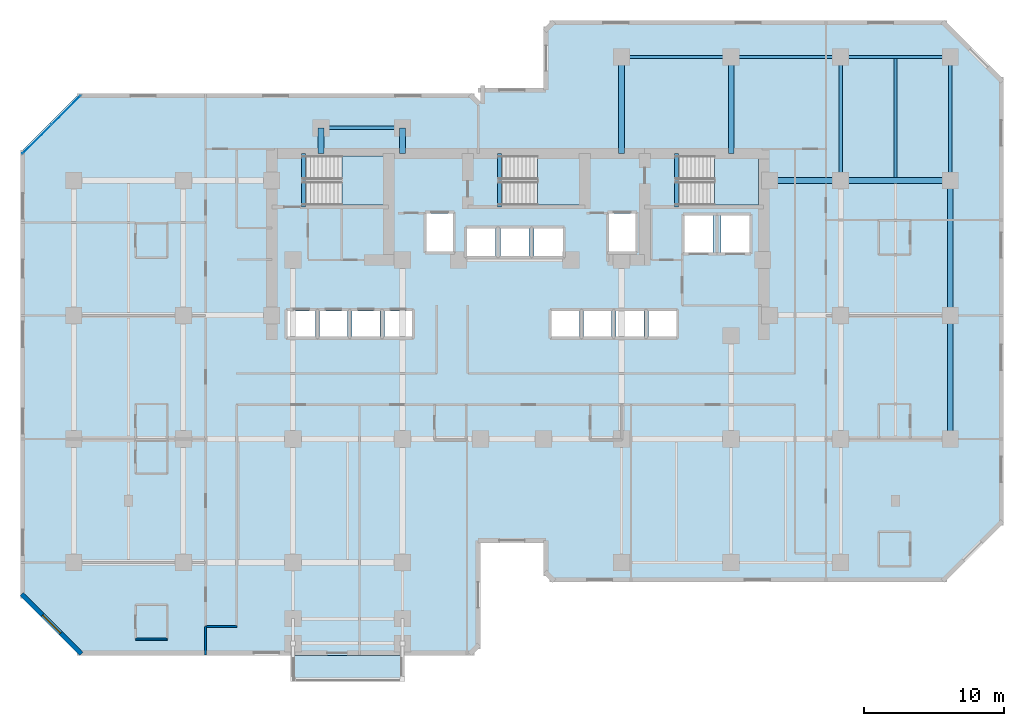
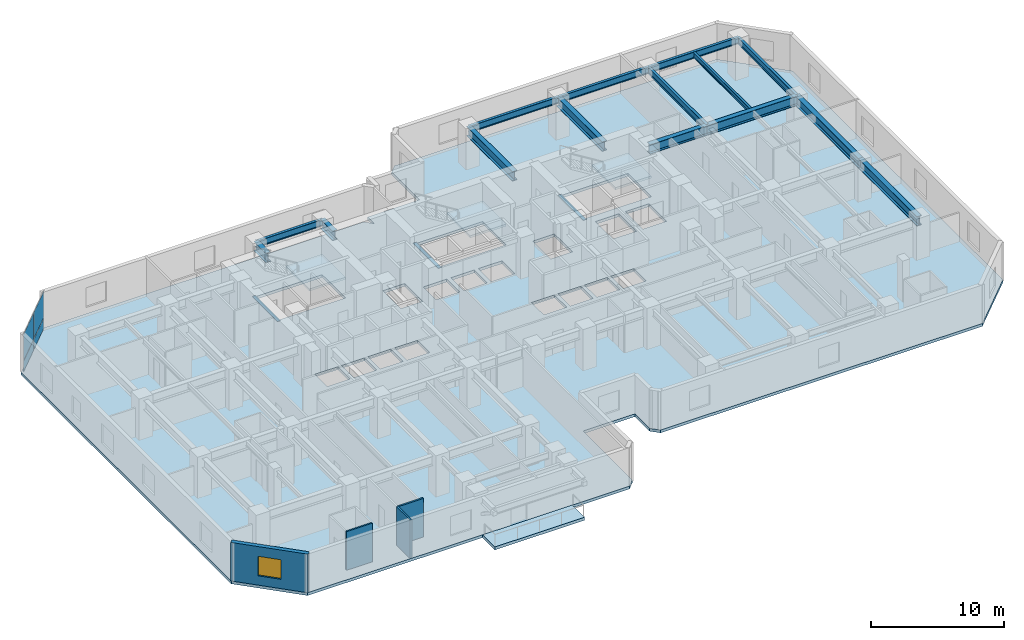
# One storey, part 5 of 12: 18 beams, 5 slabs, 4 plates, 4 walls, 1 window, 1 opening, 4 elements without a shape of their own.
"""IFC4 building model written with IfcOpenShell, lengths in metres."""

from ifc_helpers import new_model, si_unit, direction, frame, frame_2d, origin, origin_2d, place, context, subcontext, project, spatial, polyline, rectangle, i_section, outline, extrude, material, layer, layer_set, material_profile, profile_set, type_object, element, fill, aggregate, save


model = new_model("IFC4")

# Units and contexts
model_context = context("Model", 3, precision=1e-05, world=origin(), true_north=direction((0.0, 1.0)))
body_context = subcontext(model_context, "Body", "Model", "MODEL_VIEW")
ifc_project = project(units=[si_unit("LENGTHUNIT", "METRE"), si_unit("AREAUNIT", "SQUARE_METRE"), si_unit("VOLUMEUNIT", "CUBIC_METRE"), si_unit("PLANEANGLEUNIT", "RADIAN"), si_unit("MASSUNIT", "GRAM", prefix="KILO")], contexts=[model_context])

# Site, building, storey
site_placement = place(None, origin())
site = spatial("IfcSite", under=ifc_project, at=site_placement, CompositionType="ELEMENT")
building_placement = place(site_placement, origin())
building = spatial("IfcBuilding", under=site, at=building_placement, Name="Kestravale Grand Hotel", CompositionType="ELEMENT")
storey_placement = place(building_placement, frame((0.0, 0.0, 99.39990234375)))
storey = spatial("IfcBuildingStorey", under=building, at=storey_placement, Name="L24", CompositionType="ELEMENT", Elevation=99.39990234375)

# Beams
ifc_material_1 = material(Name="Steel ASTM A992 Grade 50", Category="steel")
ifc_material_profile_1 = material_profile(ifc_material_1, i_section(OverallWidth=0.19091796875, OverallDepth=0.45703125, WebThickness=0.009033203125, FlangeThickness=0.014404296875, FilletRadius=0.015380859375, at=origin_2d()))
ifc_profile_set_1 = profile_set([ifc_material_profile_1], Name="Steel ASTM A992 Grade 50")
beam_type_1 = type_object("IfcBeamType", Name="B-FLR-JST18", PredefinedType="JOIST", material=ifc_profile_set_1)
beam_1_placement = place(storey_placement, frame((66.300048828125, 38.6005859375, 3.3115234375), z_axis=(0.0, 1.0, 0.0), x_axis=(-1.0, 0.0, 0.0)))
element("IfcBeam", 1, at=beam_1_placement, inside=storey, type_object=beam_type_1, Name="L24 floor joist 10-11/F-G #1", PredefinedType="JOIST", context=body_context, shape_type="SweptSolid", body=[
    extrude(i_section(OverallWidth=0.19091796875, OverallDepth=0.45703125, WebThickness=0.009033203125, FlangeThickness=0.014404296875, FilletRadius=0.015380859375, at=origin_2d()), origin(), (0.0, 0.0, 1.0), 8.48486328125),
])
ifc_material_2 = material(Name="Concrete f'c 45 MPa", Category="concrete")
ifc_material_profile_2 = material_profile(ifc_material_2, rectangle(XDim=0.300048828125, YDim=0.39990234375, at=origin_2d()))
ifc_profile_set_2 = profile_set([ifc_material_profile_2], Name="Concrete f'c 45 MPa")
beam_type_2 = type_object("IfcBeamType", Name="B-FLR-LNT400", PredefinedType="LINTEL", material=ifc_profile_set_2)
for number, where, z_axis, x_axis, name in (
    (2, (24.159912109375, 36.52001953125, -0.199951171875), (0.0, 1.0, 0.0), (-1.0, 0.0, 0.0), "L24 ST1 flight bottom header beam"),
    (3, (38.110107421875, 36.52001953125, -0.199951171875), (0.0, 1.0, 0.0), (-1.0, 0.0, 0.0), "L24 ST2 flight bottom header beam"),
    (4, (50.7099609375, 36.52001953125, -0.199951171875), (0.0, 1.0, 0.0), (-1.0, 0.0, 0.0), "L24 ST3 flight bottom header beam"),
):
    element("IfcBeam", number, at=place(storey_placement, frame(where, z_axis=z_axis, x_axis=x_axis)), inside=storey, type_object=beam_type_2, Name=name, PredefinedType="LINTEL", context=body_context, shape_type="SweptSolid", body=[
        extrude(rectangle(XDim=0.300048828125, YDim=0.39990234375, at=origin_2d()), origin(), (0.0, 0.0, 1.0), 3.800048828125),
    ])
ifc_material_3 = material(Name="Steel ASTM A992 Grade 50", Category="steel")
ifc_material_profile_3 = material_profile(ifc_material_3, i_section(OverallWidth=0.22900390625, OverallDepth=0.612060546875, WebThickness=0.011962890625, FlangeThickness=0.01953125, FilletRadius=0.019287109375, at=origin_2d()))
ifc_profile_set_3 = profile_set([ifc_material_profile_3], Name="Steel ASTM A992 Grade 50")
beam_type_3 = type_object("IfcBeamType", Name="B-FLR-W24B", PredefinedType="SPANDREL", material=ifc_profile_set_3)
beam_2_placement = place(storey_placement, frame((46.800048828125, 47.199951171875, 3.234130859375), z_axis=(1.0, 0.0, 0.0), x_axis=(0.0, 1.0, 0.0)))
element("IfcBeam", 5, at=beam_2_placement, inside=storey, type_object=beam_type_3, Name="L24 spandrel G:8-9", PredefinedType="SPANDREL", context=body_context, shape_type="SweptSolid", body=[
    extrude(i_section(OverallWidth=0.22900390625, OverallDepth=0.612060546875, WebThickness=0.011962890625, FlangeThickness=0.01953125, FilletRadius=0.019287109375, at=origin_2d()), origin(), (0.0, 0.0, 1.0), 7.800048828125),
])
beam_3_placement = place(storey_placement, frame((54.60009765625, 47.199951171875, 3.234130859375), z_axis=(1.0, 0.0, 0.0), x_axis=(0.0, 1.0, 0.0)))
element("IfcBeam", 6, at=beam_3_placement, inside=storey, type_object=beam_type_3, Name="L24 spandrel G:9-10", PredefinedType="SPANDREL", context=body_context, shape_type="SweptSolid", body=[
    extrude(i_section(OverallWidth=0.22900390625, OverallDepth=0.612060546875, WebThickness=0.011962890625, FlangeThickness=0.01953125, FilletRadius=0.019287109375, at=origin_2d()), origin(), (0.0, 0.0, 1.0), 7.7998046875),
])
beam_4_placement = place(storey_placement, frame((62.39990234375, 47.199951171875, 3.234130859375), z_axis=(1.0, 0.0, 0.0), x_axis=(0.0, 1.0, 0.0)))
element("IfcBeam", 7, at=beam_4_placement, inside=storey, type_object=beam_type_3, Name="L24 spandrel G:10-11", PredefinedType="SPANDREL", context=body_context, shape_type="SweptSolid", body=[
    extrude(i_section(OverallWidth=0.22900390625, OverallDepth=0.612060546875, WebThickness=0.011962890625, FlangeThickness=0.01953125, FilletRadius=0.019287109375, at=origin_2d()), origin(), (0.0, 0.0, 1.0), 7.800048828125),
])
beam_5_placement = place(storey_placement, frame((25.39990234375, 42.14990234375, 3.234130859375), z_axis=(1.0, 0.0, 0.0), x_axis=(0.0, 1.0, 0.0)))
element("IfcBeam", 8, at=beam_5_placement, inside=storey, type_object=beam_type_3, Name="L24 perimeter tie spandrel FN:4-5", PredefinedType="SPANDREL", context=body_context, shape_type="SweptSolid", body=[
    extrude(i_section(OverallWidth=0.22900390625, OverallDepth=0.612060546875, WebThickness=0.011962890625, FlangeThickness=0.01953125, FilletRadius=0.019287109375, at=origin_2d()), origin(), (0.0, 0.0, 1.0), 5.800048828125),
])
for number, where, z_axis, x_axis, name in (
    (9, (62.39990234375, 38.39990234375, 3.234130859375), (0.0, 1.0, 0.0), (-1.0, 0.0, 0.0), "L24 spandrel 10:F-G"),
    (10, (70.199951171875, 38.39990234375, 3.234130859375), (0.0, 1.0, 0.0), (-1.0, 0.0, 0.0), "L24 spandrel 11:F-G"),
):
    element("IfcBeam", number, at=place(storey_placement, frame(where, z_axis=z_axis, x_axis=x_axis)), inside=storey, type_object=beam_type_3, Name=name, PredefinedType="SPANDREL", context=body_context, shape_type="SweptSolid", body=[
        extrude(i_section(OverallWidth=0.22900390625, OverallDepth=0.612060546875, WebThickness=0.011962890625, FlangeThickness=0.01953125, FilletRadius=0.019287109375, at=origin_2d()), origin(), (0.0, 0.0, 1.0), 8.800048828125),
    ])
ifc_material_4 = material(Name="Steel ASTM A992 Grade 50", Category="steel")
ifc_material_profile_4 = material_profile(ifc_material_4, i_section(OverallWidth=0.40087890625, OverallDepth=0.861083984375, WebThickness=0.019775390625, FlangeThickness=0.032470703125, FilletRadius=0.0234375, at=origin_2d()))
ifc_profile_set_4 = profile_set([ifc_material_profile_4], Name="Steel ASTM A992 Grade 50")
beam_type_4 = type_object("IfcBeamType", Name="B-GRD-W33", PredefinedType="BEAM", material=ifc_profile_set_4)
beam_6_placement = place(storey_placement, frame((57.35009765625, 38.39990234375, 3.109619140625), z_axis=(1.0, 0.0, 0.0), x_axis=(0.0, 1.0, 0.0)))
element("IfcBeam", 11, at=beam_6_placement, inside=storey, type_object=beam_type_4, Name="L24 girder F:CE-10", PredefinedType="BEAM", context=body_context, shape_type="SweptSolid", body=[
    extrude(i_section(OverallWidth=0.40087890625, OverallDepth=0.861083984375, WebThickness=0.019775390625, FlangeThickness=0.032470703125, FilletRadius=0.0234375, at=origin_2d()), origin(), (0.0, 0.0, 1.0), 5.0498046875),
])
beam_7_placement = place(storey_placement, frame((62.39990234375, 38.39990234375, 3.109619140625), z_axis=(1.0, 0.0, 0.0), x_axis=(0.0, 1.0, 0.0)))
element("IfcBeam", 12, at=beam_7_placement, inside=storey, type_object=beam_type_4, Name="L24 girder F:10-11", PredefinedType="BEAM", context=body_context, shape_type="SweptSolid", body=[
    extrude(i_section(OverallWidth=0.40087890625, OverallDepth=0.861083984375, WebThickness=0.019775390625, FlangeThickness=0.032470703125, FilletRadius=0.0234375, at=origin_2d()), origin(), (0.0, 0.0, 1.0), 7.800048828125),
])
beam_8_placement = place(storey_placement, frame((70.199951171875, 20.0, 3.109619140625), z_axis=(0.0, 1.0, 0.0), x_axis=(-1.0, 0.0, 0.0)))
element("IfcBeam", 13, at=beam_8_placement, inside=storey, type_object=beam_type_4, Name="L24 girder 11:D-E", PredefinedType="BEAM", context=body_context, shape_type="SweptSolid", body=[
    extrude(i_section(OverallWidth=0.40087890625, OverallDepth=0.861083984375, WebThickness=0.019775390625, FlangeThickness=0.032470703125, FilletRadius=0.0234375, at=origin_2d()), origin(), (0.0, 0.0, 1.0), 8.800048828125),
])
beam_9_placement = place(storey_placement, frame((70.199951171875, 28.800048828125, 3.109619140625), z_axis=(0.0, 1.0, 0.0), x_axis=(-1.0, 0.0, 0.0)))
element("IfcBeam", 14, at=beam_9_placement, inside=storey, type_object=beam_type_4, Name="L24 girder 11:E-F", PredefinedType="BEAM", context=body_context, shape_type="SweptSolid", body=[
    extrude(i_section(OverallWidth=0.40087890625, OverallDepth=0.861083984375, WebThickness=0.019775390625, FlangeThickness=0.032470703125, FilletRadius=0.0234375, at=origin_2d()), origin(), (0.0, 0.0, 1.0), 9.599853515625),
])
for number, where, z_axis, x_axis, name in (
    (15, (25.39990234375, 40.320068359375, 3.109619140625), (0.0, 1.0, 0.0), (-1.0, 0.0, 0.0), "L24 north wing tie girder 4:CN-FN"),
    (16, (31.199951171875, 40.320068359375, 3.109619140625), (0.0, 1.0, 0.0), (-1.0, 0.0, 0.0), "L24 north wing tie girder 5:CN-FN"),
):
    element("IfcBeam", number, at=place(storey_placement, frame(where, z_axis=z_axis, x_axis=x_axis)), inside=storey, type_object=beam_type_4, Name=name, PredefinedType="BEAM", context=body_context, shape_type="SweptSolid", body=[
        extrude(i_section(OverallWidth=0.40087890625, OverallDepth=0.861083984375, WebThickness=0.019775390625, FlangeThickness=0.032470703125, FilletRadius=0.0234375, at=origin_2d()), origin(), (0.0, 0.0, 1.0), 1.829833984375),
    ])
for number, where, z_axis, x_axis, name in (
    (17, (46.800048828125, 40.320068359375, 3.109619140625), (0.0, 1.0, 0.0), (-1.0, 0.0, 0.0), "L24 north wing tie girder 8:CN-G"),
    (18, (54.60009765625, 40.320068359375, 3.109619140625), (0.0, 1.0, 0.0), (-1.0, 0.0, 0.0), "L24 north wing tie girder 9:CN-G"),
):
    element("IfcBeam", number, at=place(storey_placement, frame(where, z_axis=z_axis, x_axis=x_axis)), inside=storey, type_object=beam_type_4, Name=name, PredefinedType="BEAM", context=body_context, shape_type="SweptSolid", body=[
        extrude(i_section(OverallWidth=0.40087890625, OverallDepth=0.861083984375, WebThickness=0.019775390625, FlangeThickness=0.032470703125, FilletRadius=0.0234375, at=origin_2d()), origin(), (0.0, 0.0, 1.0), 6.8798828125),
    ])

# Curtain wall, plates
ifc_material_5 = material(Name="Thermally broken champagne-bronze aluminium and low-E glazing", Category="aluminium")
ifc_layer_1 = layer(ifc_material_5, 0.199951171875)
ifc_layer_set_1 = layer_set([ifc_layer_1], Name="CW-Z2")
curtain_wall_type = type_object("IfcCurtainWallType", Name="CW-Z2", PredefinedType="NOTDEFINED", material=ifc_layer_set_1)
curtain_wall_placement = place(storey_placement, origin())
curtain_wall = element("IfcCurtainWall", 19, at=curtain_wall_placement, inside=storey, type_object=curtain_wall_type, Name="L24 unitised curtain wall 18", PredefinedType="NOTDEFINED")
ifc_material_6 = material(Name="Insulated clear low-E double glazing IGU", Category="glass")
ifc_layer_2 = layer(ifc_material_6, 0.031982421875)
ifc_layer_set_2 = layer_set([ifc_layer_2], Name="CW-PNL-32")
plate_type = type_object("IfcPlateType", Name="CW-PNL-32", PredefinedType="CURTAIN_PANEL", material=ifc_layer_set_2)
plate_1_placement = place(storey_placement, frame((7.26416015625, 43.423583984375, 0.06494140625), z_axis=(0.0, 0.0, 1.0), x_axis=(-0.707106781187, -0.707106781187, 0.0)))
plate_1 = element("IfcPlate", 20, at=plate_1_placement, type_object=plate_type, Name="CW-Z2 panel 1.1", PredefinedType="CURTAIN_PANEL", context=body_context, shape_type="SweptSolid", body=[
    extrude(rectangle(XDim=2.87744140625, YDim=0.031982421875, at=origin_2d()), origin(), (0.0, 0.0, 1.0), 0.952392578125),
])
plate_2_placement = place(storey_placement, frame((7.26416015625, 43.423583984375, 1.08251953125), z_axis=(0.0, 0.0, 1.0), x_axis=(-0.707106781187, -0.707106781187, 0.0)))
plate_2 = element("IfcPlate", 21, at=plate_2_placement, type_object=plate_type, Name="CW-Z2 panel 1.2", PredefinedType="CURTAIN_PANEL", context=body_context, shape_type="SweptSolid", body=[
    extrude(rectangle(XDim=2.87744140625, YDim=0.031982421875, at=origin_2d()), origin(), (0.0, 0.0, 1.0), 2.392578125),
])
plate_3_placement = place(storey_placement, frame((5.17626953125, 41.3359375, 0.06494140625), z_axis=(0.0, 0.0, 1.0), x_axis=(-0.707106781187, -0.707106781187, 0.0)))
plate_3 = element("IfcPlate", 22, at=plate_3_placement, type_object=plate_type, Name="CW-Z2 panel 2.1", PredefinedType="CURTAIN_PANEL", context=body_context, shape_type="SweptSolid", body=[
    extrude(rectangle(XDim=2.87744140625, YDim=0.031982421875, at=origin_2d()), origin(), (0.0, 0.0, 1.0), 0.952392578125),
])
plate_4_placement = place(storey_placement, frame((5.17626953125, 41.3359375, 1.08251953125), z_axis=(0.0, 0.0, 1.0), x_axis=(-0.707106781187, -0.707106781187, 0.0)))
plate_4 = element("IfcPlate", 23, at=plate_4_placement, type_object=plate_type, Name="CW-Z2 panel 2.2", PredefinedType="CURTAIN_PANEL", context=body_context, shape_type="SweptSolid", body=[
    extrude(rectangle(XDim=2.87744140625, YDim=0.031982421875, at=origin_2d()), origin(), (0.0, 0.0, 1.0), 2.392578125),
])
aggregate(curtain_wall, [plate_1, plate_2, plate_3, plate_4])

# Slab
ifc_material_7 = material(Name="Concrete f'c 45 MPa", Category="concrete")
ifc_layer_3 = layer(ifc_material_7, 0.27001953125)
ifc_layer_set_3 = layer_set([ifc_layer_3], Name="ES-TERR-270")
slab_type_1 = type_object("IfcSlabType", Name="ES-TERR-270", PredefinedType="FLOOR", material=ifc_layer_set_3)
slab_1_placement = place(storey_placement, frame((0.0, 0.0, -0.27001953125)))
element("IfcSlab", 24, at=slab_1_placement, inside=storey, type_object=slab_type_1, Name="L24 spiralling planted garden terrace", PredefinedType="FLOOR", context=body_context, shape_type="SweptSolid", body=[
    extrude(outline(polyline([(23.39990234375, 2.75), (31.199951171875, 2.75), (31.199951171875, 4.60009765625), (23.39990234375, 4.60009765625), (23.39990234375, 2.75)])), origin(), (0.0, 0.0, 1.0), 0.27001953125),
])

# Stair, slab
ifc_material_8 = material(Name="Concrete f'c 45 MPa", Category="concrete")
stair_type = type_object("IfcStairType", Name="ST-CORE-380", PredefinedType="HALF_TURN_STAIR", material=ifc_material_8)
stair_1_placement = place(storey_placement, origin())
stair_1 = element("IfcStair", 25, at=stair_1_placement, inside=storey, type_object=stair_type, Name="L24 ST-1", PredefinedType="HALF_TURN_STAIR")
ifc_material_9 = material(Name="Concrete f'c 45 MPa", Category="concrete")
ifc_layer_4 = layer(ifc_material_9, 0.199951171875)
ifc_layer_set_4 = layer_set([ifc_layer_4], Name="SLB-ST-LND200")
slab_type_2 = type_object("IfcSlabType", Name="SLB-ST-LND200", PredefinedType="LANDING", material=ifc_layer_set_4)
slab_2_placement = place(storey_placement, frame((0.0, 0.0, 1.7001953125)))
slab_2 = element("IfcSlab", 26, at=slab_2_placement, type_object=slab_type_2, Name="ST-1 landing 1", PredefinedType="LANDING", context=body_context, shape_type="SweptSolid", body=[
    extrude(outline(polyline([(26.8798828125, 36.64990234375), (30.0, 36.64990234375), (30.0, 40.159912109375), (26.8798828125, 40.159912109375), (26.8798828125, 36.64990234375)])), origin(), (0.0, 0.0, 1.0), 0.199951171875),
])
aggregate(stair_1, [slab_2])

stair_2_placement = place(storey_placement, origin())
stair_2 = element("IfcStair", 27, at=stair_2_placement, inside=storey, type_object=stair_type, Name="L24 ST-2", PredefinedType="HALF_TURN_STAIR")
slab_3_placement = place(storey_placement, frame((0.0, 0.0, 1.7001953125)))
slab_3 = element("IfcSlab", 28, at=slab_3_placement, type_object=slab_type_2, Name="ST-2 landing 1", PredefinedType="LANDING", context=body_context, shape_type="SweptSolid", body=[
    extrude(outline(polyline([(40.830078125, 36.64990234375), (43.949951171875, 36.64990234375), (43.949951171875, 40.159912109375), (40.830078125, 40.159912109375), (40.830078125, 36.64990234375)])), origin(), (0.0, 0.0, 1.0), 0.199951171875),
])
aggregate(stair_2, [slab_3])

stair_3_placement = place(storey_placement, origin())
stair_3 = element("IfcStair", 29, at=stair_3_placement, inside=storey, type_object=stair_type, Name="L24 ST-3", PredefinedType="HALF_TURN_STAIR")
slab_4_placement = place(storey_placement, frame((0.0, 0.0, 1.7001953125)))
slab_4 = element("IfcSlab", 30, at=slab_4_placement, type_object=slab_type_2, Name="ST-3 landing 1", PredefinedType="LANDING", context=body_context, shape_type="SweptSolid", body=[
    extrude(outline(polyline([(53.429931640625, 36.64990234375), (56.550048828125, 36.64990234375), (56.550048828125, 40.159912109375), (53.429931640625, 40.159912109375), (53.429931640625, 36.64990234375)])), origin(), (0.0, 0.0, 1.0), 0.199951171875),
])
aggregate(stair_3, [slab_4])

# Slab
ifc_material_10 = material(Name="Concrete f'c 45 MPa", Category="concrete")
ifc_layer_5 = layer(ifc_material_10, 0.260009765625)
ifc_layer_set_5 = layer_set([ifc_layer_5], Name="SS-FLR-260")
slab_type_3 = type_object("IfcSlabType", Name="SS-FLR-260", PredefinedType="FLOOR", material=ifc_layer_set_5)
slab_5_placement = place(storey_placement, frame((0.0, 0.0, -0.260009765625)))
element("IfcSlab", 31, at=slab_5_placement, inside=storey, type_object=slab_type_3, Name="L24 structural floor slab", PredefinedType="FLOOR", context=body_context, shape_type="SweptSolid", body=[
    extrude(outline(polyline([(8.199951171875, 4.60009765625), (36.14990234375, 4.60009765625), (36.75, 5.199951171875), (36.75, 12.60009765625), (41.25, 12.60009765625), (41.25, 10.39990234375), (41.85009765625, 9.800048828125), (69.800048828125, 9.800048828125), (74.0, 14.0), (74.0, 45.60009765625), (69.800048828125, 49.800048828125), (41.85009765625, 49.800048828125), (41.25, 49.199951171875), (41.25, 45.0), (36.75, 45.0), (36.75, 44.0), (36.14990234375, 44.60009765625), (8.199951171875, 44.60009765625), (4.0, 40.39990234375), (4.0, 8.800048828125), (8.199951171875, 4.60009765625)]), holes=[polyline([(24.080078125, 36.64990234375), (30.0, 36.64990234375), (30.0, 40.159912109375), (24.080078125, 40.159912109375), (24.080078125, 36.64990234375)]), polyline([(38.030029296875, 36.64990234375), (43.949951171875, 36.64990234375), (43.949951171875, 40.159912109375), (38.030029296875, 40.159912109375), (38.030029296875, 36.64990234375)]), polyline([(50.6298828125, 36.64990234375), (56.550048828125, 36.64990234375), (56.550048828125, 40.159912109375), (50.6298828125, 40.159912109375), (50.6298828125, 36.64990234375)]), polyline([(23.0048828125, 27.280029296875), (24.9951171875, 27.280029296875), (24.9951171875, 29.1201171875), (23.0048828125, 29.1201171875), (23.0048828125, 27.280029296875)]), polyline([(25.304931640625, 27.280029296875), (27.294921875, 27.280029296875), (27.294921875, 29.1201171875), (25.304931640625, 29.1201171875), (25.304931640625, 27.280029296875)]), polyline([(27.60498046875, 27.280029296875), (29.594970703125, 27.280029296875), (29.594970703125, 29.1201171875), (27.60498046875, 29.1201171875), (27.60498046875, 27.280029296875)]), polyline([(29.905029296875, 27.280029296875), (31.89501953125, 27.280029296875), (31.89501953125, 29.1201171875), (29.905029296875, 29.1201171875), (29.905029296875, 27.280029296875)]), polyline([(41.804931640625, 27.280029296875), (43.794921875, 27.280029296875), (43.794921875, 29.1201171875), (41.804931640625, 29.1201171875), (41.804931640625, 27.280029296875)]), polyline([(44.10498046875, 27.280029296875), (46.094970703125, 27.280029296875), (46.094970703125, 29.1201171875), (44.10498046875, 29.1201171875), (44.10498046875, 27.280029296875)]), polyline([(46.405029296875, 27.280029296875), (48.39501953125, 27.280029296875), (48.39501953125, 29.1201171875), (46.405029296875, 29.1201171875), (46.405029296875, 27.280029296875)]), polyline([(48.705078125, 27.280029296875), (50.695068359375, 27.280029296875), (50.695068359375, 29.1201171875), (48.705078125, 29.1201171875), (48.705078125, 27.280029296875)]), polyline([(35.780029296875, 33.030029296875), (37.820068359375, 33.030029296875), (37.820068359375, 34.969970703125), (35.780029296875, 34.969970703125), (35.780029296875, 33.030029296875)]), polyline([(38.179931640625, 33.030029296875), (40.219970703125, 33.030029296875), (40.219970703125, 34.969970703125), (38.179931640625, 34.969970703125), (38.179931640625, 33.030029296875)]), polyline([(40.580078125, 33.030029296875), (42.6201171875, 33.030029296875), (42.6201171875, 34.969970703125), (40.580078125, 34.969970703125), (40.580078125, 33.030029296875)]), polyline([(32.905029296875, 33.35498046875), (34.794921875, 33.35498046875), (34.794921875, 36.044921875), (32.905029296875, 36.044921875), (32.905029296875, 33.35498046875)]), polyline([(45.905029296875, 33.35498046875), (47.794921875, 33.35498046875), (47.794921875, 36.044921875), (45.905029296875, 36.044921875), (45.905029296875, 33.35498046875)]), polyline([(51.280029296875, 33.280029296875), (53.320068359375, 33.280029296875), (53.320068359375, 35.919921875), (51.280029296875, 35.919921875), (51.280029296875, 33.280029296875)]), polyline([(53.8798828125, 33.280029296875), (55.919921875, 33.280029296875), (55.919921875, 35.919921875), (53.8798828125, 35.919921875), (53.8798828125, 33.280029296875)])]), origin(), (0.0, 0.0, 1.0), 0.260009765625),
])

# Wall, opening, window
ifc_material_11 = material(Name="Precast concrete f'c 45 MPa", Category="concrete")
ifc_layer_6 = layer(ifc_material_11, 0.340087890625)
ifc_layer_set_6 = layer_set([ifc_layer_6], Name="EW-PREC-340")
wall_type_1 = type_object("IfcWallType", Name="EW-PREC-340", PredefinedType="SOLIDWALL", material=ifc_layer_set_6)
wall_1_placement = place(storey_placement, frame((4.091796875, 8.948486328125, 0.0), z_axis=(0.0, 0.0, 1.0), x_axis=(0.707106781187, -0.707106781187, 0.0)))
wall_1 = element("IfcWall", 32, at=wall_1_placement, inside=storey, type_object=wall_type_1, Name="L24 fluted precast facade wall 20", PredefinedType="SOLIDWALL", context=body_context, shape_type="SweptSolid", body=[
    extrude(rectangle(XDim=6.019775390625, YDim=0.340087890625, at=frame_2d((3.009765625, 0.0))), origin(), (0.0, 0.0, 1.0), 3.5400390625),
])
opening_placement = place(wall_1_placement, frame((2.10986328125, 0.0, 0.85009765625)))
opening = element("IfcOpeningElement", 33, at=opening_placement, cuts=wall_1, Name="Opening W-GUEST-1800", PredefinedType="OPENING", context=body_context, shape_type="SweptSolid", body=[
    extrude(rectangle(XDim=1.800048828125, YDim=1.800048828125, at=frame_2d((0.89990234375, 0.89990234375))), frame((0.0, 0.179931640625, 0.0), z_axis=(0.0, -1.0, 0.0), x_axis=(1.0, 0.0, 0.0)), (0.0, 0.0, 1.0), 0.360107421875),
])
ifc_material_12 = material(Name="Insulated low-E double glazing in aluminium frame", Category="aluminium")
window_type = type_object("IfcWindowType", Name="W-GUEST-1800", PartitioningType="DOUBLE_PANEL_VERTICAL", PredefinedType="WINDOW", material=ifc_material_12)
window_placement = place(opening_placement, origin())
window = element("IfcWindow", 34, at=window_placement, inside=storey, type_object=window_type, Name="L24 exterior window 20.1", OverallHeight=1.800048828125, OverallWidth=1.800048828125, PartitioningType="SINGLE_PANEL", PredefinedType="WINDOW", context=body_context, shape_type="SweptSolid", body=[
    extrude(rectangle(XDim=1.800048828125, YDim=1.800048828125, at=frame_2d((0.89990234375, 0.89990234375))), frame((0.0, 0.030029296875, 0.0), z_axis=(0.0, -1.0, 0.0), x_axis=(1.0, 0.0, 0.0)), (0.0, 0.0, 1.0), 0.06005859375),
])
fill(opening, window)

# Walls
ifc_material_13 = material(Name="Moisture-resistant tile-backer plumbing chase wall", Category="other")
ifc_layer_7 = layer(ifc_material_13, 0.139892578125)
ifc_layer_set_7 = layer_set([ifc_layer_7], Name="IW-PLB-140")
wall_type_2 = type_object("IfcWallType", Name="IW-PLB-140", PredefinedType="PLUMBINGWALL", material=ifc_layer_set_7)
wall_2_placement = place(storey_placement, frame((12.199951171875, 5.75, 0.0), z_axis=(0.0, 0.0, 1.0), x_axis=(1.0, 0.0, 0.0)))
element("IfcWall", 35, at=wall_2_placement, inside=storey, type_object=wall_type_2, Name="W-L24-U03-BS", PredefinedType="PLUMBINGWALL", context=body_context, shape_type="SweptSolid", body=[
    extrude(rectangle(XDim=2.25, YDim=0.139892578125, at=frame_2d((1.125, 0.0))), origin(), (0.0, 0.0, 1.0), 3.5400390625),
])
ifc_material_14 = material(Name="Double-stud STC 52 acoustic demising partition", Category="other")
ifc_layer_8 = layer(ifc_material_14, 0.14990234375)
ifc_layer_set_8 = layer_set([ifc_layer_8], Name="IW-UNIT-150")
wall_type_3 = type_object("IfcWallType", Name="IW-UNIT-150", PredefinedType="PARTITIONING", material=ifc_layer_set_8)
wall_3_placement = place(storey_placement, frame((17.18994140625, 6.64990234375, 0.0), z_axis=(0.0, 0.0, 1.0), x_axis=(1.0, 0.0, 0.0)))
element("IfcWall", 36, at=wall_3_placement, inside=storey, type_object=wall_type_3, Name="W-L24-SW-S", PredefinedType="PARTITIONING", context=body_context, shape_type="SweptSolid", body=[
    extrude(rectangle(XDim=2.219970703125, YDim=0.14990234375, at=frame_2d((1.10986328125, 0.0))), origin(), (0.0, 0.0, 1.0), 3.5400390625),
])
wall_4_placement = place(storey_placement, frame((17.18994140625, 4.6201171875, 0.0), z_axis=(0.0, 0.0, 1.0), x_axis=(0.0, 1.0, 0.0)))
element("IfcWall", 37, at=wall_4_placement, inside=storey, type_object=wall_type_3, Name="W-L24-SW-EXT", PredefinedType="PARTITIONING", context=body_context, shape_type="SweptSolid", body=[
    extrude(rectangle(XDim=2.02978515625, YDim=0.14990234375, at=frame_2d((1.014892578125, 0.0))), origin(), (0.0, 0.0, 1.0), 3.5400390625),
])

save(model, "model.ifc")
